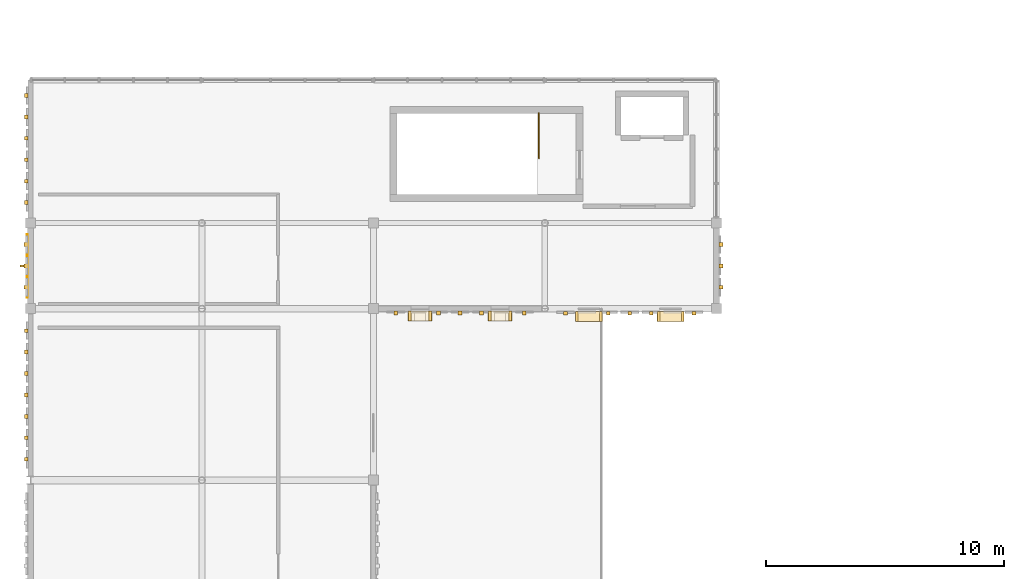
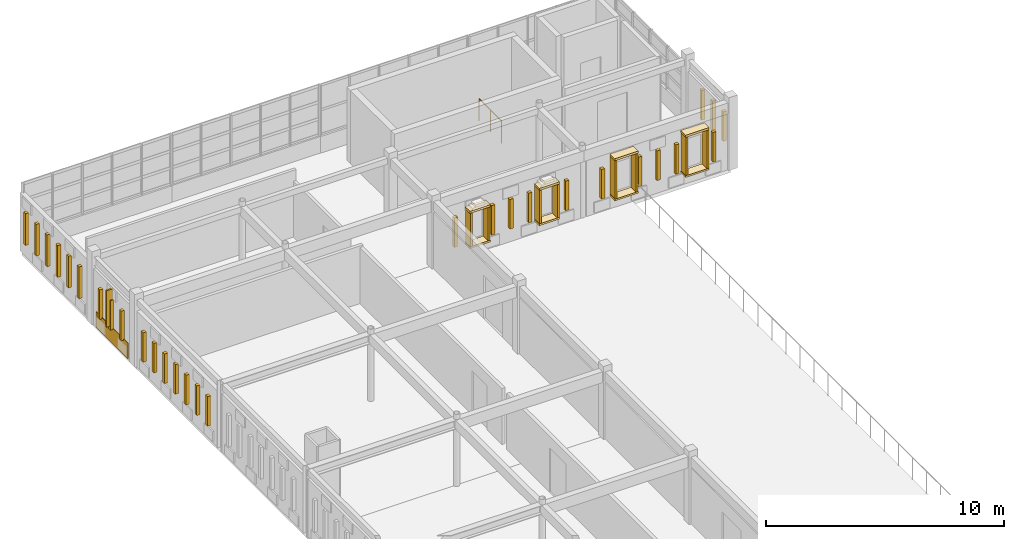
# One storey, part 37 of 46: 46 coverings, 1 railing, 1 shading device.
"""IFC4 building model written with IfcOpenShell, lengths in metres."""

from ifc_helpers import new_model, si_unit, direction, frame, origin, origin_2d, place, context, subcontext, project, spatial, rectangle, circle, extrude, material, layer, layer_set, type_object, element, save


model = new_model("IFC4")

# Units and contexts
model_context = context("Model", 3, precision=1e-05, world=origin(), true_north=direction((0.0, 1.0)))
body_context = subcontext(model_context, "Body", "Model", "MODEL_VIEW")
ifc_project = project(units=[si_unit("LENGTHUNIT", "METRE"), si_unit("AREAUNIT", "SQUARE_METRE"), si_unit("VOLUMEUNIT", "CUBIC_METRE"), si_unit("PLANEANGLEUNIT", "RADIAN"), si_unit("MASSUNIT", "GRAM", prefix="KILO")], contexts=[model_context])

# Site, building, storey
site_placement = place(None, origin())
site = spatial("IfcSite", under=ifc_project, at=site_placement, CompositionType="ELEMENT")
building_placement = place(site_placement, origin())
building = spatial("IfcBuilding", under=site, at=building_placement, Name="Nzembalo Square Collegiate School", CompositionType="ELEMENT")
storey_placement = place(building_placement, frame((0.0, 0.0, 17.340087890625)))
storey = spatial("IfcBuildingStorey", under=building, at=storey_placement, Name="L04", CompositionType="ELEMENT", Elevation=17.340087890625)

# Coverings
ifc_material_1 = material(Name="Glazed cobalt ceramic patterned tile")
ifc_layer_1 = layer(ifc_material_1, 0.074951171875, Name="Glazed cobalt ceramic patterned tile")
ifc_layer_set_1 = layer_set([ifc_layer_1], Name="Glazed cobalt ceramic patterned tile")
covering_type_1 = type_object("IfcCoveringType", Name="CL01", PredefinedType="CLADDING", material=ifc_layer_set_1)
covering_1_placement = place(storey_placement, frame((8.262451171875, 81.0, 0.02001953125), z_axis=(0.0, 0.0, 1.0), x_axis=(1.0, 0.0, 0.0)))
element("IfcCovering", 1, at=covering_1_placement, inside=storey, type_object=covering_type_1, Name="Faience spandrel cladding CL01-0272", PredefinedType="CLADDING", context=body_context, shape_type="SweptSolid", body=[
    extrude(rectangle(XDim=0.034912109375, YDim=2.676025390625, at=origin_2d()), origin(), (0.0, 0.0, 1.0), 0.800048828125),
])
ifc_material_2 = material(Name="Glazed ochre ceramic lancet rib")
ifc_layer_2 = layer(ifc_material_2, 0.159912109375, Name="Glazed ochre ceramic lancet rib")
ifc_layer_set_2 = layer_set([ifc_layer_2], Name="Glazed ochre ceramic lancet rib")
covering_type_2 = type_object("IfcCoveringType", Name="CL02", PredefinedType="CLADDING", material=ifc_layer_set_2)
for number, where, z_axis, x_axis, name in (
    (2, (8.222412109375, 72.8798828125, 0.760009765625), (0.0, 0.0, 1.0), (1.0, 0.0, 0.0), "Gothic ceramic rib CL02-Y0271-0"),
    (3, (8.222412109375, 73.780029296875, 0.760009765625), (0.0, 0.0, 1.0), (1.0, 0.0, 0.0), "Gothic ceramic rib CL02-Y0271-1"),
    (4, (8.222412109375, 74.679931640625, 0.760009765625), (0.0, 0.0, 1.0), (1.0, 0.0, 0.0), "Gothic ceramic rib CL02-Y0271-2"),
    (5, (8.222412109375, 75.580078125, 0.760009765625), (0.0, 0.0, 1.0), (1.0, 0.0, 0.0), "Gothic ceramic rib CL02-Y0271-3"),
    (6, (8.222412109375, 76.47998046875, 0.760009765625), (0.0, 0.0, 1.0), (1.0, 0.0, 0.0), "Gothic ceramic rib CL02-Y0271-4"),
    (7, (8.222412109375, 77.3798828125, 0.760009765625), (0.0, 0.0, 1.0), (1.0, 0.0, 0.0), "Gothic ceramic rib CL02-Y0271-5"),
    (8, (8.222412109375, 78.280029296875, 0.760009765625), (0.0, 0.0, 1.0), (1.0, 0.0, 0.0), "Gothic ceramic rib CL02-Y0271-6"),
    (9, (8.20751953125, 80.10009765625, 0.760009765625), (0.0, 0.0, 1.0), (1.0, 0.0, 0.0), "Gothic ceramic rib CL02-Y0272-0"),
    (10, (8.20751953125, 81.0, 0.760009765625), (0.0, 0.0, 1.0), (1.0, 0.0, 0.0), "Gothic ceramic rib CL02-Y0272-1"),
    (11, (8.20751953125, 81.89990234375, 0.760009765625), (0.0, 0.0, 1.0), (1.0, 0.0, 0.0), "Gothic ceramic rib CL02-Y0272-2"),
):
    element("IfcCovering", number, at=place(storey_placement, frame(where, z_axis=z_axis, x_axis=x_axis)), inside=storey, type_object=covering_type_2, Name=name, PredefinedType="CLADDING", context=body_context, shape_type="SweptSolid", body=[
        extrude(rectangle(XDim=0.159912109375, YDim=0.159912109375, at=origin_2d()), origin(), (0.0, 0.0, 1.0), 1.51904296875),
    ])
for number, where, z_axis, x_axis, name in (
    (12, (8.222412109375, 83.656005859375, 0.760009765625), (0.0, 0.0, 1.0), (1.0, 0.0, 0.0), "Gothic ceramic rib CL02-Y0273-0"),
    (13, (8.222412109375, 84.555908203125, 0.760009765625), (0.0, 0.0, 1.0), (1.0, 0.0, 0.0), "Gothic ceramic rib CL02-Y0273-1"),
    (14, (8.222412109375, 85.4560546875, 0.760009765625), (0.0, 0.0, 1.0), (1.0, 0.0, 0.0), "Gothic ceramic rib CL02-Y0273-2"),
    (15, (8.222412109375, 86.35595703125, 0.760009765625), (0.0, 0.0, 1.0), (1.0, 0.0, 0.0), "Gothic ceramic rib CL02-Y0273-3"),
    (16, (8.222412109375, 87.256103515625, 0.760009765625), (0.0, 0.0, 1.0), (1.0, 0.0, 0.0), "Gothic ceramic rib CL02-Y0273-4"),
    (17, (8.222412109375, 88.156005859375, 0.760009765625), (0.0, 0.0, 1.0), (1.0, 0.0, 0.0), "Gothic ceramic rib CL02-Y0273-5"),
):
    element("IfcCovering", number, at=place(storey_placement, frame(where, z_axis=z_axis, x_axis=x_axis)), inside=storey, type_object=covering_type_2, Name=name, PredefinedType="CLADDING", context=body_context, shape_type="SweptSolid", body=[
        extrude(rectangle(XDim=0.159912109375, YDim=0.159912109375, at=origin_2d()), origin(), (0.0, 0.0, 1.0), 1.62890625),
    ])
for number, where, z_axis, x_axis, name in (
    (18, (37.392578125, 80.10009765625, 0.760009765625), (0.0, 0.0, 1.0), (1.0, 0.0, 0.0), "Gothic ceramic rib CL02-Y0274-0"),
    (19, (37.392578125, 81.0, 0.760009765625), (0.0, 0.0, 1.0), (1.0, 0.0, 0.0), "Gothic ceramic rib CL02-Y0274-1"),
    (20, (37.392578125, 81.89990234375, 0.760009765625), (0.0, 0.0, 1.0), (1.0, 0.0, 0.0), "Gothic ceramic rib CL02-Y0274-2"),
    (21, (23.73681640625, 79.0224609375, 0.760009765625), (0.0, 0.0, 1.0), (1.0, 0.0, 0.0), "Gothic ceramic rib CL02-X0275-0"),
    (22, (25.536865234375, 79.0224609375, 0.760009765625), (0.0, 0.0, 1.0), (1.0, 0.0, 0.0), "Gothic ceramic rib CL02-X0275-2"),
    (23, (26.436767578125, 79.0224609375, 0.760009765625), (0.0, 0.0, 1.0), (1.0, 0.0, 0.0), "Gothic ceramic rib CL02-X0275-3"),
    (24, (27.3369140625, 79.0224609375, 0.760009765625), (0.0, 0.0, 1.0), (1.0, 0.0, 0.0), "Gothic ceramic rib CL02-X0275-4"),
    (25, (29.13671875, 79.0224609375, 0.760009765625), (0.0, 0.0, 1.0), (1.0, 0.0, 0.0), "Gothic ceramic rib CL02-X0275-6"),
    (26, (30.86328125, 79.007568359375, 0.760009765625), (0.0, 0.0, 1.0), (1.0, 0.0, 0.0), "Gothic ceramic rib CL02-X0276-0"),
    (27, (32.6630859375, 79.007568359375, 0.760009765625), (0.0, 0.0, 1.0), (1.0, 0.0, 0.0), "Gothic ceramic rib CL02-X0276-2"),
    (28, (33.563232421875, 79.007568359375, 0.760009765625), (0.0, 0.0, 1.0), (1.0, 0.0, 0.0), "Gothic ceramic rib CL02-X0276-3"),
    (29, (34.46337890625, 79.007568359375, 0.760009765625), (0.0, 0.0, 1.0), (1.0, 0.0, 0.0), "Gothic ceramic rib CL02-X0276-4"),
    (30, (36.26318359375, 79.007568359375, 0.760009765625), (0.0, 0.0, 1.0), (1.0, 0.0, 0.0), "Gothic ceramic rib CL02-X0276-6"),
):
    element("IfcCovering", number, at=place(storey_placement, frame(where, z_axis=z_axis, x_axis=x_axis)), inside=storey, type_object=covering_type_2, Name=name, PredefinedType="CLADDING", context=body_context, shape_type="SweptSolid", body=[
        extrude(rectangle(XDim=0.159912109375, YDim=0.159912109375, at=origin_2d()), origin(), (0.0, 0.0, 1.0), 1.51904296875),
    ])
ifc_material_3 = material(Name="Glazed celadon ceramic window frame")
ifc_layer_3 = layer(ifc_material_3, 0.419921875, Name="Glazed celadon ceramic window frame")
ifc_layer_set_3 = layer_set([ifc_layer_3], Name="Glazed celadon ceramic window frame")
covering_type_3 = type_object("IfcCoveringType", Name="WF01", PredefinedType="CLADDING", material=ifc_layer_set_3)
covering_2_placement = place(storey_placement, frame((24.7568359375, 78.887451171875, 2.455078125), z_axis=(0.0, 0.0, 1.0), x_axis=(1.0, 0.0, 0.0)))
element("IfcCovering", 31, at=covering_2_placement, inside=storey, type_object=covering_type_3, Name="Deep lancet window hood WF01-1039", PredefinedType="CLADDING", context=body_context, shape_type="SweptSolid", body=[
    extrude(rectangle(XDim=0.989990234375, YDim=0.419921875, at=origin_2d()), origin(), (0.0, 0.0, 1.0), 0.110107421875),
])
covering_3_placement = place(storey_placement, frame((24.7568359375, 78.887451171875, 0.65478515625), z_axis=(0.0, 0.0, 1.0), x_axis=(1.0, 0.0, 0.0)))
element("IfcCovering", 32, at=covering_3_placement, inside=storey, type_object=covering_type_3, Name="Deep lancet window sill WF01-1039", PredefinedType="CLADDING", context=body_context, shape_type="SweptSolid", body=[
    extrude(rectangle(XDim=0.989990234375, YDim=0.419921875, at=origin_2d()), origin(), (0.0, 0.0, 1.0), 0.090087890625),
])
for number, where, z_axis, x_axis, name in (
    (33, (24.326904296875, 78.887451171875, 0.75), (0.0, 0.0, 1.0), (1.0, 0.0, 0.0), "Deep lancet window jamb WF01-1039L"),
    (34, (25.18701171875, 78.887451171875, 0.75), (0.0, 0.0, 1.0), (1.0, 0.0, 0.0), "Deep lancet window jamb WF01-1039R"),
):
    element("IfcCovering", number, at=place(storey_placement, frame(where, z_axis=z_axis, x_axis=x_axis)), inside=storey, type_object=covering_type_3, Name=name, PredefinedType="CLADDING", context=body_context, shape_type="SweptSolid", body=[
        extrude(rectangle(XDim=0.10009765625, YDim=0.419921875, at=origin_2d()), origin(), (0.0, 0.0, 1.0), 1.699951171875),
    ])
covering_4_placement = place(storey_placement, frame((28.11669921875, 78.887451171875, 2.455078125), z_axis=(0.0, 0.0, 1.0), x_axis=(1.0, 0.0, 0.0)))
element("IfcCovering", 35, at=covering_4_placement, inside=storey, type_object=covering_type_3, Name="Deep lancet window hood WF01-1040", PredefinedType="CLADDING", context=body_context, shape_type="SweptSolid", body=[
    extrude(rectangle(XDim=0.989990234375, YDim=0.419921875, at=origin_2d()), origin(), (0.0, 0.0, 1.0), 0.110107421875),
])
covering_5_placement = place(storey_placement, frame((28.11669921875, 78.887451171875, 0.65478515625), z_axis=(0.0, 0.0, 1.0), x_axis=(1.0, 0.0, 0.0)))
element("IfcCovering", 36, at=covering_5_placement, inside=storey, type_object=covering_type_3, Name="Deep lancet window sill WF01-1040", PredefinedType="CLADDING", context=body_context, shape_type="SweptSolid", body=[
    extrude(rectangle(XDim=0.989990234375, YDim=0.419921875, at=origin_2d()), origin(), (0.0, 0.0, 1.0), 0.090087890625),
])
for number, where, z_axis, x_axis, name in (
    (37, (27.6865234375, 78.887451171875, 0.75), (0.0, 0.0, 1.0), (1.0, 0.0, 0.0), "Deep lancet window jamb WF01-1040L"),
    (38, (28.546630859375, 78.887451171875, 0.75), (0.0, 0.0, 1.0), (1.0, 0.0, 0.0), "Deep lancet window jamb WF01-1040R"),
):
    element("IfcCovering", number, at=place(storey_placement, frame(where, z_axis=z_axis, x_axis=x_axis)), inside=storey, type_object=covering_type_3, Name=name, PredefinedType="CLADDING", context=body_context, shape_type="SweptSolid", body=[
        extrude(rectangle(XDim=0.10009765625, YDim=0.419921875, at=origin_2d()), origin(), (0.0, 0.0, 1.0), 1.699951171875),
    ])
covering_6_placement = place(storey_placement, frame((31.845947265625, 78.87255859375, 2.705078125), z_axis=(0.0, 0.0, 1.0), x_axis=(1.0, 0.0, 0.0)))
element("IfcCovering", 39, at=covering_6_placement, inside=storey, type_object=covering_type_3, Name="Deep lancet window hood WF01-1043", PredefinedType="CLADDING", context=body_context, shape_type="SweptSolid", body=[
    extrude(rectangle(XDim=1.139892578125, YDim=0.419921875, at=origin_2d()), origin(), (0.0, 0.0, 1.0), 0.110107421875),
])
covering_7_placement = place(storey_placement, frame((31.845947265625, 78.87255859375, 0.65478515625), z_axis=(0.0, 0.0, 1.0), x_axis=(1.0, 0.0, 0.0)))
element("IfcCovering", 40, at=covering_7_placement, inside=storey, type_object=covering_type_3, Name="Deep lancet window sill WF01-1043", PredefinedType="CLADDING", context=body_context, shape_type="SweptSolid", body=[
    extrude(rectangle(XDim=1.139892578125, YDim=0.419921875, at=origin_2d()), origin(), (0.0, 0.0, 1.0), 0.090087890625),
])
for number, where, z_axis, x_axis, name in (
    (41, (31.3408203125, 78.87255859375, 0.75), (0.0, 0.0, 1.0), (1.0, 0.0, 0.0), "Deep lancet window jamb WF01-1043L"),
    (42, (32.350830078125, 78.87255859375, 0.75), (0.0, 0.0, 1.0), (1.0, 0.0, 0.0), "Deep lancet window jamb WF01-1043R"),
):
    element("IfcCovering", number, at=place(storey_placement, frame(where, z_axis=z_axis, x_axis=x_axis)), inside=storey, type_object=covering_type_3, Name=name, PredefinedType="CLADDING", context=body_context, shape_type="SweptSolid", body=[
        extrude(rectangle(XDim=0.10009765625, YDim=0.419921875, at=origin_2d()), origin(), (0.0, 0.0, 1.0), 1.949951171875),
    ])
covering_8_placement = place(storey_placement, frame((35.280517578125, 78.87255859375, 2.705078125), z_axis=(0.0, 0.0, 1.0), x_axis=(1.0, 0.0, 0.0)))
element("IfcCovering", 43, at=covering_8_placement, inside=storey, type_object=covering_type_3, Name="Deep lancet window hood WF01-1044", PredefinedType="CLADDING", context=body_context, shape_type="SweptSolid", body=[
    extrude(rectangle(XDim=1.139892578125, YDim=0.419921875, at=origin_2d()), origin(), (0.0, 0.0, 1.0), 0.110107421875),
])
covering_9_placement = place(storey_placement, frame((35.280517578125, 78.87255859375, 0.65478515625), z_axis=(0.0, 0.0, 1.0), x_axis=(1.0, 0.0, 0.0)))
element("IfcCovering", 44, at=covering_9_placement, inside=storey, type_object=covering_type_3, Name="Deep lancet window sill WF01-1044", PredefinedType="CLADDING", context=body_context, shape_type="SweptSolid", body=[
    extrude(rectangle(XDim=1.139892578125, YDim=0.419921875, at=origin_2d()), origin(), (0.0, 0.0, 1.0), 0.090087890625),
])
for number, where, z_axis, x_axis, name in (
    (45, (34.775634765625, 78.87255859375, 0.75), (0.0, 0.0, 1.0), (1.0, 0.0, 0.0), "Deep lancet window jamb WF01-1044L"),
    (46, (35.78564453125, 78.87255859375, 0.75), (0.0, 0.0, 1.0), (1.0, 0.0, 0.0), "Deep lancet window jamb WF01-1044R"),
):
    element("IfcCovering", number, at=place(storey_placement, frame(where, z_axis=z_axis, x_axis=x_axis)), inside=storey, type_object=covering_type_3, Name=name, PredefinedType="CLADDING", context=body_context, shape_type="SweptSolid", body=[
        extrude(rectangle(XDim=0.10009765625, YDim=0.419921875, at=origin_2d()), origin(), (0.0, 0.0, 1.0), 1.949951171875),
    ])

# Railing
ifc_material_4 = material(Name="Steel S355", Category="steel")
railing_type = type_object("IfcRailingType", Name="GR01", PredefinedType="GUARDRAIL", material=ifc_material_4)
railing_placement = place(storey_placement, frame((29.75, 85.52001953125, -0.005126953125)))
element("IfcRailing", 47, at=railing_placement, inside=storey, type_object=railing_type, Name="Top stairwell guard GR-C2-T1", PredefinedType="GUARDRAIL", context=body_context, shape_type="SweptSolid", body=[
    extrude(circle(Radius=0.02392578125, at=origin_2d()), frame((0.0, 0.0, 1.1259765625), z_axis=(0.0, 1.0, 0.0), x_axis=(-1.0, 0.0, 0.0)), (0.0, 0.0, 1.0), 1.889892578125),
    extrude(circle(Radius=0.02099609375, at=origin_2d()), origin(), (0.0, 0.0, 1.0), 1.101806640625),
    extrude(circle(Radius=0.02099609375, at=origin_2d()), frame((0.0, 0.94482421875, 0.0)), (0.0, 0.0, 1.0), 1.101806640625),
    extrude(circle(Radius=0.02099609375, at=origin_2d()), frame((0.0, 1.889892578125, 0.0)), (0.0, 0.0, 1.0), 1.101806640625),
])

# Shading device
ifc_material_5 = material(Name="Glazed ochre ceramic vertical fin")
shading_device_type = type_object("IfcShadingDeviceType", Name="JL01", PredefinedType="JALOUSIE", material=ifc_material_5)
shading_device_placement = place(storey_placement, frame((8.12255859375, 81.0, 0.9501953125), z_axis=(0.0, 0.0, 1.0), x_axis=(1.0, 0.0, 0.0)))
element("IfcShadingDevice", 48, at=shading_device_placement, inside=storey, type_object=shading_device_type, Name="Ceramic fin JL01-0272", PredefinedType="JALOUSIE", context=body_context, shape_type="SweptSolid", body=[
    extrude(rectangle(XDim=0.320068359375, YDim=0.090087890625, at=origin_2d()), origin(), (0.0, 0.0, 1.0), 1.868896484375),
])

save(model, "model.ifc")
